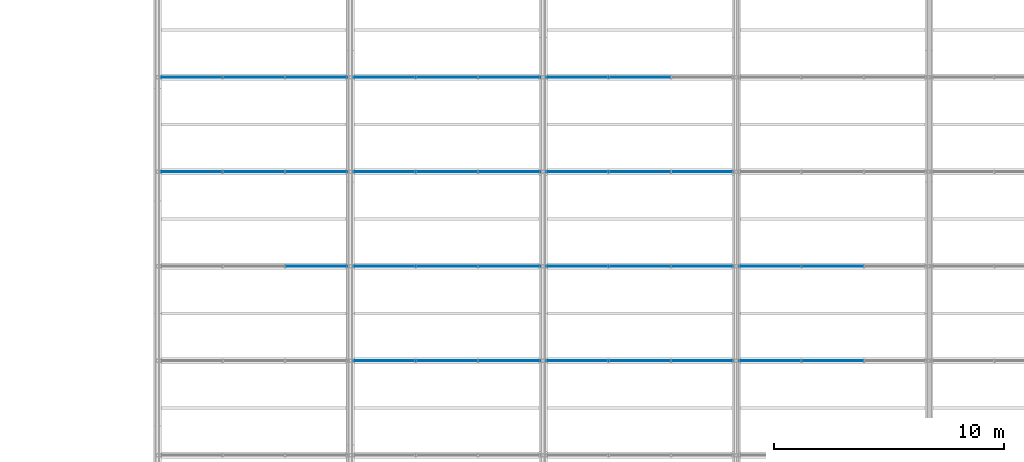
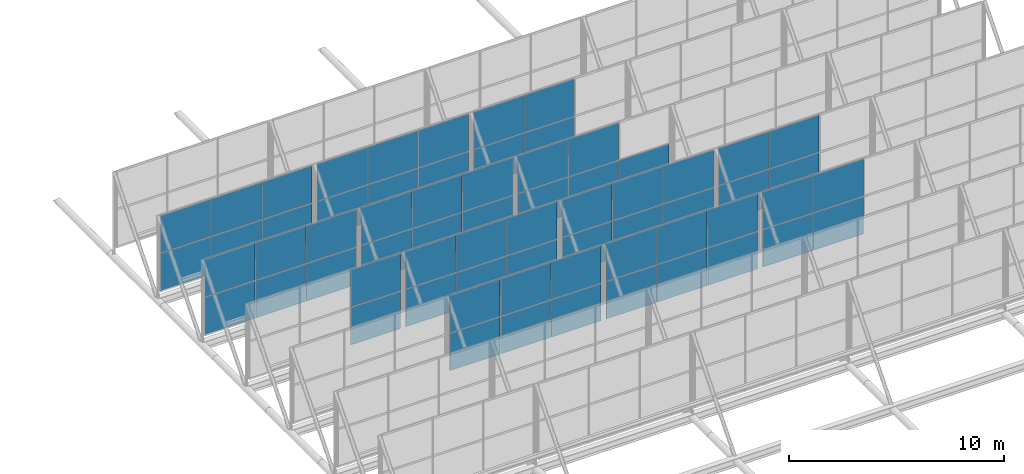
# One storey, part 65 of 77: 67 plates, 13 elements without a shape of their own.
"""IFC4 building model written with IfcOpenShell, lengths in metres."""

from ifc_helpers import new_model, si_unit, derived_unit, direction, frame, origin, origin_2d, place, context, subcontext, project, spatial, rectangle, extrude, material, layer, layer_set, type_object, element, aggregate, save


model = new_model("IFC4")

# Units and contexts
model_context = context("Model", 3, precision=1e-05, world=origin(), true_north=direction((0.0, 1.0)))
body_context = subcontext(model_context, "Body", "Model", "MODEL_VIEW")
ifc_project = project(units=[si_unit("LENGTHUNIT", "METRE"), si_unit("AREAUNIT", "SQUARE_METRE"), si_unit("VOLUMEUNIT", "CUBIC_METRE"), si_unit("PLANEANGLEUNIT", "RADIAN"), si_unit("MASSUNIT", "GRAM", prefix="KILO"), derived_unit("THERMALTRANSMITTANCEUNIT", [(si_unit("MASSUNIT", "GRAM", prefix="KILO"), 1), (si_unit("TIMEUNIT", "SECOND"), -3), (si_unit("THERMODYNAMICTEMPERATUREUNIT", "KELVIN"), -1)])], contexts=[model_context])

# Site, building, storey
site_placement = place(None, origin())
site = spatial("IfcSite", under=ifc_project, at=site_placement, CompositionType="ELEMENT")
building_placement = place(site_placement, origin())
building = spatial("IfcBuilding", under=site, at=building_placement, Name="Kharveza Railside Sports Centre", CompositionType="ELEMENT")
storey_placement = place(building_placement, frame((0.0, 0.0, 17.10009765625)))
storey = spatial("IfcBuildingStorey", under=building, at=storey_placement, Name="L04", CompositionType="ELEMENT", Elevation=17.10009765625)

# Curtain wall, plates
ifc_material = material(Name="Low-E solar-control laminated glass", Category="glass")
curtain_wall_type = type_object("IfcCurtainWallType", Name="CW-NL01", PredefinedType="NOTDEFINED", material=ifc_material)
curtain_wall_1_placement = place(storey_placement, origin())
curtain_wall_1 = element("IfcCurtainWall", 1, at=curtain_wall_1_placement, inside=storey, type_object=curtain_wall_type, Name="CW-V1NL-3-2", PredefinedType="NOTDEFINED")
ifc_layer = layer(ifc_material, 0.033935546875, Name="Low-E solar-control laminated glass")
ifc_layer_set = layer_set([ifc_layer], Name="Low-E solar-control laminated glass")
plate_type = type_object("IfcPlateType", Name="PL-CP05", PredefinedType="CURTAIN_PANEL", material=ifc_layer_set)
plate_1_placement = place(storey_placement, frame((43.47998046875, 48.343017578125, -0.5302734375), z_axis=(0.0, 0.0, 1.0), x_axis=(1.0, 0.0, 0.0)))
plate_1 = element("IfcPlate", 2, at=plate_1_placement, type_object=plate_type, Name="CW-V1NL-3-2-PN11", PredefinedType="CURTAIN_PANEL", context=body_context, shape_type="SweptSolid", body=[
    extrude(rectangle(XDim=2.679931640625, YDim=0.033935546875, at=origin_2d()), origin(), (0.0, 0.0, 1.0), 2.110107421875),
])
plate_2_placement = place(storey_placement, frame((43.47998046875, 48.343017578125, 1.61962890625), z_axis=(0.0, 0.0, 1.0), x_axis=(1.0, 0.0, 0.0)))
plate_2 = element("IfcPlate", 3, at=plate_2_placement, type_object=plate_type, Name="CW-V1NL-3-2-PN12", PredefinedType="CURTAIN_PANEL", context=body_context, shape_type="SweptSolid", body=[
    extrude(rectangle(XDim=2.679931640625, YDim=0.033935546875, at=origin_2d()), origin(), (0.0, 0.0, 1.0), 2.110107421875),
])
plate_3_placement = place(storey_placement, frame((46.199951171875, 48.343017578125, -0.5302734375), z_axis=(0.0, 0.0, 1.0), x_axis=(1.0, 0.0, 0.0)))
plate_3 = element("IfcPlate", 4, at=plate_3_placement, type_object=plate_type, Name="CW-V1NL-3-2-PN21", PredefinedType="CURTAIN_PANEL", context=body_context, shape_type="SweptSolid", body=[
    extrude(rectangle(XDim=2.679931640625, YDim=0.033935546875, at=origin_2d()), origin(), (0.0, 0.0, 1.0), 2.110107421875),
])
plate_4_placement = place(storey_placement, frame((46.199951171875, 48.343017578125, 1.61962890625), z_axis=(0.0, 0.0, 1.0), x_axis=(1.0, 0.0, 0.0)))
plate_4 = element("IfcPlate", 5, at=plate_4_placement, type_object=plate_type, Name="CW-V1NL-3-2-PN22", PredefinedType="CURTAIN_PANEL", context=body_context, shape_type="SweptSolid", body=[
    extrude(rectangle(XDim=2.679931640625, YDim=0.033935546875, at=origin_2d()), origin(), (0.0, 0.0, 1.0), 2.110107421875),
])
plate_5_placement = place(storey_placement, frame((48.919921875, 48.343017578125, -0.5302734375), z_axis=(0.0, 0.0, 1.0), x_axis=(1.0, 0.0, 0.0)))
plate_5 = element("IfcPlate", 6, at=plate_5_placement, type_object=plate_type, Name="CW-V1NL-3-2-PN31", PredefinedType="CURTAIN_PANEL", context=body_context, shape_type="SweptSolid", body=[
    extrude(rectangle(XDim=2.679931640625, YDim=0.033935546875, at=origin_2d()), origin(), (0.0, 0.0, 1.0), 2.110107421875),
])
plate_6_placement = place(storey_placement, frame((48.919921875, 48.343017578125, 1.61962890625), z_axis=(0.0, 0.0, 1.0), x_axis=(1.0, 0.0, 0.0)))
plate_6 = element("IfcPlate", 7, at=plate_6_placement, type_object=plate_type, Name="CW-V1NL-3-2-PN32", PredefinedType="CURTAIN_PANEL", context=body_context, shape_type="SweptSolid", body=[
    extrude(rectangle(XDim=2.679931640625, YDim=0.033935546875, at=origin_2d()), origin(), (0.0, 0.0, 1.0), 2.110107421875),
])
aggregate(curtain_wall_1, [plate_1, plate_2, plate_3, plate_4, plate_5, plate_6])

curtain_wall_2_placement = place(storey_placement, origin())
curtain_wall_2 = element("IfcCurtainWall", 8, at=curtain_wall_2_placement, inside=storey, type_object=curtain_wall_type, Name="CW-V1NL-3-3", PredefinedType="NOTDEFINED")
plate_7_placement = place(storey_placement, frame((51.8798828125, 48.343017578125, -0.5302734375), z_axis=(0.0, 0.0, 1.0), x_axis=(1.0, 0.0, 0.0)))
plate_7 = element("IfcPlate", 9, at=plate_7_placement, type_object=plate_type, Name="CW-V1NL-3-3-PN11", PredefinedType="CURTAIN_PANEL", context=body_context, shape_type="SweptSolid", body=[
    extrude(rectangle(XDim=2.679931640625, YDim=0.033935546875, at=origin_2d()), origin(), (0.0, 0.0, 1.0), 2.110107421875),
])
plate_8_placement = place(storey_placement, frame((51.8798828125, 48.343017578125, 1.61962890625), z_axis=(0.0, 0.0, 1.0), x_axis=(1.0, 0.0, 0.0)))
plate_8 = element("IfcPlate", 10, at=plate_8_placement, type_object=plate_type, Name="CW-V1NL-3-3-PN12", PredefinedType="CURTAIN_PANEL", context=body_context, shape_type="SweptSolid", body=[
    extrude(rectangle(XDim=2.679931640625, YDim=0.033935546875, at=origin_2d()), origin(), (0.0, 0.0, 1.0), 2.110107421875),
])
plate_9_placement = place(storey_placement, frame((54.60009765625, 48.343017578125, -0.5302734375), z_axis=(0.0, 0.0, 1.0), x_axis=(1.0, 0.0, 0.0)))
plate_9 = element("IfcPlate", 11, at=plate_9_placement, type_object=plate_type, Name="CW-V1NL-3-3-PN21", PredefinedType="CURTAIN_PANEL", context=body_context, shape_type="SweptSolid", body=[
    extrude(rectangle(XDim=2.679931640625, YDim=0.033935546875, at=origin_2d()), origin(), (0.0, 0.0, 1.0), 2.110107421875),
])
plate_10_placement = place(storey_placement, frame((54.60009765625, 48.343017578125, 1.61962890625), z_axis=(0.0, 0.0, 1.0), x_axis=(1.0, 0.0, 0.0)))
plate_10 = element("IfcPlate", 12, at=plate_10_placement, type_object=plate_type, Name="CW-V1NL-3-3-PN22", PredefinedType="CURTAIN_PANEL", context=body_context, shape_type="SweptSolid", body=[
    extrude(rectangle(XDim=2.679931640625, YDim=0.033935546875, at=origin_2d()), origin(), (0.0, 0.0, 1.0), 2.110107421875),
])
plate_11_placement = place(storey_placement, frame((57.320068359375, 48.343017578125, -0.5302734375), z_axis=(0.0, 0.0, 1.0), x_axis=(1.0, 0.0, 0.0)))
plate_11 = element("IfcPlate", 13, at=plate_11_placement, type_object=plate_type, Name="CW-V1NL-3-3-PN31", PredefinedType="CURTAIN_PANEL", context=body_context, shape_type="SweptSolid", body=[
    extrude(rectangle(XDim=2.679931640625, YDim=0.033935546875, at=origin_2d()), origin(), (0.0, 0.0, 1.0), 2.110107421875),
])
plate_12_placement = place(storey_placement, frame((57.320068359375, 48.343017578125, 1.61962890625), z_axis=(0.0, 0.0, 1.0), x_axis=(1.0, 0.0, 0.0)))
plate_12 = element("IfcPlate", 14, at=plate_12_placement, type_object=plate_type, Name="CW-V1NL-3-3-PN32", PredefinedType="CURTAIN_PANEL", context=body_context, shape_type="SweptSolid", body=[
    extrude(rectangle(XDim=2.679931640625, YDim=0.033935546875, at=origin_2d()), origin(), (0.0, 0.0, 1.0), 2.110107421875),
])
aggregate(curtain_wall_2, [plate_7, plate_8, plate_9, plate_10, plate_11, plate_12])

curtain_wall_3_placement = place(storey_placement, origin())
curtain_wall_3 = element("IfcCurtainWall", 15, at=curtain_wall_3_placement, inside=storey, type_object=curtain_wall_type, Name="CW-V1NL-3-4", PredefinedType="NOTDEFINED")
plate_13_placement = place(storey_placement, frame((60.280029296875, 48.343017578125, -0.5302734375), z_axis=(0.0, 0.0, 1.0), x_axis=(1.0, 0.0, 0.0)))
plate_13 = element("IfcPlate", 16, at=plate_13_placement, type_object=plate_type, Name="CW-V1NL-3-4-PN11", PredefinedType="CURTAIN_PANEL", context=body_context, shape_type="SweptSolid", body=[
    extrude(rectangle(XDim=2.679931640625, YDim=0.033935546875, at=origin_2d()), origin(), (0.0, 0.0, 1.0), 2.110107421875),
])
plate_14_placement = place(storey_placement, frame((60.280029296875, 48.343017578125, 1.61962890625), z_axis=(0.0, 0.0, 1.0), x_axis=(1.0, 0.0, 0.0)))
plate_14 = element("IfcPlate", 17, at=plate_14_placement, type_object=plate_type, Name="CW-V1NL-3-4-PN12", PredefinedType="CURTAIN_PANEL", context=body_context, shape_type="SweptSolid", body=[
    extrude(rectangle(XDim=2.679931640625, YDim=0.033935546875, at=origin_2d()), origin(), (0.0, 0.0, 1.0), 2.110107421875),
])
plate_15_placement = place(storey_placement, frame((63.0, 48.343017578125, -0.5302734375), z_axis=(0.0, 0.0, 1.0), x_axis=(1.0, 0.0, 0.0)))
plate_15 = element("IfcPlate", 18, at=plate_15_placement, type_object=plate_type, Name="CW-V1NL-3-4-PN21", PredefinedType="CURTAIN_PANEL", context=body_context, shape_type="SweptSolid", body=[
    extrude(rectangle(XDim=2.679931640625, YDim=0.033935546875, at=origin_2d()), origin(), (0.0, 0.0, 1.0), 2.110107421875),
])
plate_16_placement = place(storey_placement, frame((63.0, 48.343017578125, 1.61962890625), z_axis=(0.0, 0.0, 1.0), x_axis=(1.0, 0.0, 0.0)))
plate_16 = element("IfcPlate", 19, at=plate_16_placement, type_object=plate_type, Name="CW-V1NL-3-4-PN22", PredefinedType="CURTAIN_PANEL", context=body_context, shape_type="SweptSolid", body=[
    extrude(rectangle(XDim=2.679931640625, YDim=0.033935546875, at=origin_2d()), origin(), (0.0, 0.0, 1.0), 2.110107421875),
])
aggregate(curtain_wall_3, [plate_13, plate_14, plate_15, plate_16])

curtain_wall_4_placement = place(storey_placement, origin())
curtain_wall_4 = element("IfcCurtainWall", 20, at=curtain_wall_4_placement, inside=storey, type_object=curtain_wall_type, Name="CW-V1NL-4-1", PredefinedType="NOTDEFINED")
plate_17_placement = place(storey_placement, frame((40.52001953125, 52.45703125, -0.5302734375), z_axis=(0.0, 0.0, 1.0), x_axis=(1.0, 0.0, 0.0)))
plate_17 = element("IfcPlate", 21, at=plate_17_placement, type_object=plate_type, Name="CW-V1NL-4-1-PN31", PredefinedType="CURTAIN_PANEL", context=body_context, shape_type="SweptSolid", body=[
    extrude(rectangle(XDim=2.679931640625, YDim=0.033935546875, at=origin_2d()), origin(), (0.0, 0.0, 1.0), 2.110107421875),
])
plate_18_placement = place(storey_placement, frame((40.52001953125, 52.45703125, 1.61962890625), z_axis=(0.0, 0.0, 1.0), x_axis=(1.0, 0.0, 0.0)))
plate_18 = element("IfcPlate", 22, at=plate_18_placement, type_object=plate_type, Name="CW-V1NL-4-1-PN32", PredefinedType="CURTAIN_PANEL", context=body_context, shape_type="SweptSolid", body=[
    extrude(rectangle(XDim=2.679931640625, YDim=0.033935546875, at=origin_2d()), origin(), (0.0, 0.0, 1.0), 2.110107421875),
])
aggregate(curtain_wall_4, [plate_17, plate_18])

curtain_wall_5_placement = place(storey_placement, origin())
curtain_wall_5 = element("IfcCurtainWall", 23, at=curtain_wall_5_placement, inside=storey, type_object=curtain_wall_type, Name="CW-V1NL-4-2", PredefinedType="NOTDEFINED")
plate_19_placement = place(storey_placement, frame((43.47998046875, 52.45703125, -0.5302734375), z_axis=(0.0, 0.0, 1.0), x_axis=(1.0, 0.0, 0.0)))
plate_19 = element("IfcPlate", 24, at=plate_19_placement, type_object=plate_type, Name="CW-V1NL-4-2-PN11", PredefinedType="CURTAIN_PANEL", context=body_context, shape_type="SweptSolid", body=[
    extrude(rectangle(XDim=2.679931640625, YDim=0.033935546875, at=origin_2d()), origin(), (0.0, 0.0, 1.0), 2.110107421875),
])
plate_20_placement = place(storey_placement, frame((43.47998046875, 52.45703125, 1.61962890625), z_axis=(0.0, 0.0, 1.0), x_axis=(1.0, 0.0, 0.0)))
plate_20 = element("IfcPlate", 25, at=plate_20_placement, type_object=plate_type, Name="CW-V1NL-4-2-PN12", PredefinedType="CURTAIN_PANEL", context=body_context, shape_type="SweptSolid", body=[
    extrude(rectangle(XDim=2.679931640625, YDim=0.033935546875, at=origin_2d()), origin(), (0.0, 0.0, 1.0), 2.110107421875),
])
plate_21_placement = place(storey_placement, frame((46.199951171875, 52.45703125, -0.5302734375), z_axis=(0.0, 0.0, 1.0), x_axis=(1.0, 0.0, 0.0)))
plate_21 = element("IfcPlate", 26, at=plate_21_placement, type_object=plate_type, Name="CW-V1NL-4-2-PN21", PredefinedType="CURTAIN_PANEL", context=body_context, shape_type="SweptSolid", body=[
    extrude(rectangle(XDim=2.679931640625, YDim=0.033935546875, at=origin_2d()), origin(), (0.0, 0.0, 1.0), 2.110107421875),
])
plate_22_placement = place(storey_placement, frame((46.199951171875, 52.45703125, 1.61962890625), z_axis=(0.0, 0.0, 1.0), x_axis=(1.0, 0.0, 0.0)))
plate_22 = element("IfcPlate", 27, at=plate_22_placement, type_object=plate_type, Name="CW-V1NL-4-2-PN22", PredefinedType="CURTAIN_PANEL", context=body_context, shape_type="SweptSolid", body=[
    extrude(rectangle(XDim=2.679931640625, YDim=0.033935546875, at=origin_2d()), origin(), (0.0, 0.0, 1.0), 2.110107421875),
])
plate_23_placement = place(storey_placement, frame((48.919921875, 52.45703125, -0.5302734375), z_axis=(0.0, 0.0, 1.0), x_axis=(1.0, 0.0, 0.0)))
plate_23 = element("IfcPlate", 28, at=plate_23_placement, type_object=plate_type, Name="CW-V1NL-4-2-PN31", PredefinedType="CURTAIN_PANEL", context=body_context, shape_type="SweptSolid", body=[
    extrude(rectangle(XDim=2.679931640625, YDim=0.033935546875, at=origin_2d()), origin(), (0.0, 0.0, 1.0), 2.110107421875),
])
plate_24_placement = place(storey_placement, frame((48.919921875, 52.45703125, 1.61962890625), z_axis=(0.0, 0.0, 1.0), x_axis=(1.0, 0.0, 0.0)))
plate_24 = element("IfcPlate", 29, at=plate_24_placement, type_object=plate_type, Name="CW-V1NL-4-2-PN32", PredefinedType="CURTAIN_PANEL", context=body_context, shape_type="SweptSolid", body=[
    extrude(rectangle(XDim=2.679931640625, YDim=0.033935546875, at=origin_2d()), origin(), (0.0, 0.0, 1.0), 2.110107421875),
])
aggregate(curtain_wall_5, [plate_19, plate_20, plate_21, plate_22, plate_23, plate_24])

curtain_wall_6_placement = place(storey_placement, origin())
curtain_wall_6 = element("IfcCurtainWall", 30, at=curtain_wall_6_placement, inside=storey, type_object=curtain_wall_type, Name="CW-V1NL-4-3", PredefinedType="NOTDEFINED")
plate_25_placement = place(storey_placement, frame((51.8798828125, 52.45703125, -0.5302734375), z_axis=(0.0, 0.0, 1.0), x_axis=(1.0, 0.0, 0.0)))
plate_25 = element("IfcPlate", 31, at=plate_25_placement, type_object=plate_type, Name="CW-V1NL-4-3-PN11", PredefinedType="CURTAIN_PANEL", context=body_context, shape_type="SweptSolid", body=[
    extrude(rectangle(XDim=2.679931640625, YDim=0.033935546875, at=origin_2d()), origin(), (0.0, 0.0, 1.0), 2.110107421875),
])
plate_26_placement = place(storey_placement, frame((51.8798828125, 52.45703125, 1.61962890625), z_axis=(0.0, 0.0, 1.0), x_axis=(1.0, 0.0, 0.0)))
plate_26 = element("IfcPlate", 32, at=plate_26_placement, type_object=plate_type, Name="CW-V1NL-4-3-PN12", PredefinedType="CURTAIN_PANEL", context=body_context, shape_type="SweptSolid", body=[
    extrude(rectangle(XDim=2.679931640625, YDim=0.033935546875, at=origin_2d()), origin(), (0.0, 0.0, 1.0), 2.110107421875),
])
plate_27_placement = place(storey_placement, frame((54.60009765625, 52.45703125, -0.5302734375), z_axis=(0.0, 0.0, 1.0), x_axis=(1.0, 0.0, 0.0)))
plate_27 = element("IfcPlate", 33, at=plate_27_placement, type_object=plate_type, Name="CW-V1NL-4-3-PN21", PredefinedType="CURTAIN_PANEL", context=body_context, shape_type="SweptSolid", body=[
    extrude(rectangle(XDim=2.679931640625, YDim=0.033935546875, at=origin_2d()), origin(), (0.0, 0.0, 1.0), 2.110107421875),
])
plate_28_placement = place(storey_placement, frame((54.60009765625, 52.45703125, 1.61962890625), z_axis=(0.0, 0.0, 1.0), x_axis=(1.0, 0.0, 0.0)))
plate_28 = element("IfcPlate", 34, at=plate_28_placement, type_object=plate_type, Name="CW-V1NL-4-3-PN22", PredefinedType="CURTAIN_PANEL", context=body_context, shape_type="SweptSolid", body=[
    extrude(rectangle(XDim=2.679931640625, YDim=0.033935546875, at=origin_2d()), origin(), (0.0, 0.0, 1.0), 2.110107421875),
])
plate_29_placement = place(storey_placement, frame((57.320068359375, 52.45703125, -0.5302734375), z_axis=(0.0, 0.0, 1.0), x_axis=(1.0, 0.0, 0.0)))
plate_29 = element("IfcPlate", 35, at=plate_29_placement, type_object=plate_type, Name="CW-V1NL-4-3-PN31", PredefinedType="CURTAIN_PANEL", context=body_context, shape_type="SweptSolid", body=[
    extrude(rectangle(XDim=2.679931640625, YDim=0.033935546875, at=origin_2d()), origin(), (0.0, 0.0, 1.0), 2.110107421875),
])
plate_30_placement = place(storey_placement, frame((57.320068359375, 52.45703125, 1.61962890625), z_axis=(0.0, 0.0, 1.0), x_axis=(1.0, 0.0, 0.0)))
plate_30 = element("IfcPlate", 36, at=plate_30_placement, type_object=plate_type, Name="CW-V1NL-4-3-PN32", PredefinedType="CURTAIN_PANEL", context=body_context, shape_type="SweptSolid", body=[
    extrude(rectangle(XDim=2.679931640625, YDim=0.033935546875, at=origin_2d()), origin(), (0.0, 0.0, 1.0), 2.110107421875),
])
aggregate(curtain_wall_6, [plate_25, plate_26, plate_27, plate_28, plate_29, plate_30])

curtain_wall_7_placement = place(storey_placement, origin())
curtain_wall_7 = element("IfcCurtainWall", 37, at=curtain_wall_7_placement, inside=storey, type_object=curtain_wall_type, Name="CW-V1NL-4-4", PredefinedType="NOTDEFINED")
plate_31_placement = place(storey_placement, frame((60.280029296875, 52.45703125, -0.5302734375), z_axis=(0.0, 0.0, 1.0), x_axis=(1.0, 0.0, 0.0)))
plate_31 = element("IfcPlate", 38, at=plate_31_placement, type_object=plate_type, Name="CW-V1NL-4-4-PN11", PredefinedType="CURTAIN_PANEL", context=body_context, shape_type="SweptSolid", body=[
    extrude(rectangle(XDim=2.679931640625, YDim=0.033935546875, at=origin_2d()), origin(), (0.0, 0.0, 1.0), 2.110107421875),
])
plate_32_placement = place(storey_placement, frame((60.280029296875, 52.45703125, 1.61962890625), z_axis=(0.0, 0.0, 1.0), x_axis=(1.0, 0.0, 0.0)))
plate_32 = element("IfcPlate", 39, at=plate_32_placement, type_object=plate_type, Name="CW-V1NL-4-4-PN12", PredefinedType="CURTAIN_PANEL", context=body_context, shape_type="SweptSolid", body=[
    extrude(rectangle(XDim=2.679931640625, YDim=0.033935546875, at=origin_2d()), origin(), (0.0, 0.0, 1.0), 2.110107421875),
])
plate_33_placement = place(storey_placement, frame((63.0, 52.45703125, -0.5302734375), z_axis=(0.0, 0.0, 1.0), x_axis=(1.0, 0.0, 0.0)))
plate_33 = element("IfcPlate", 40, at=plate_33_placement, type_object=plate_type, Name="CW-V1NL-4-4-PN21", PredefinedType="CURTAIN_PANEL", context=body_context, shape_type="SweptSolid", body=[
    extrude(rectangle(XDim=2.679931640625, YDim=0.033935546875, at=origin_2d()), origin(), (0.0, 0.0, 1.0), 2.110107421875),
])
plate_34_placement = place(storey_placement, frame((63.0, 52.45703125, 1.61962890625), z_axis=(0.0, 0.0, 1.0), x_axis=(1.0, 0.0, 0.0)))
plate_34 = element("IfcPlate", 41, at=plate_34_placement, type_object=plate_type, Name="CW-V1NL-4-4-PN22", PredefinedType="CURTAIN_PANEL", context=body_context, shape_type="SweptSolid", body=[
    extrude(rectangle(XDim=2.679931640625, YDim=0.033935546875, at=origin_2d()), origin(), (0.0, 0.0, 1.0), 2.110107421875),
])
aggregate(curtain_wall_7, [plate_31, plate_32, plate_33, plate_34])

curtain_wall_8_placement = place(storey_placement, origin())
curtain_wall_8 = element("IfcCurtainWall", 42, at=curtain_wall_8_placement, inside=storey, type_object=curtain_wall_type, Name="CW-V1NL-5-1", PredefinedType="NOTDEFINED")
plate_35_placement = place(storey_placement, frame((35.080078125, 56.5712890625, -0.5302734375), z_axis=(0.0, 0.0, 1.0), x_axis=(1.0, 0.0, 0.0)))
plate_35 = element("IfcPlate", 43, at=plate_35_placement, type_object=plate_type, Name="CW-V1NL-5-1-PN11", PredefinedType="CURTAIN_PANEL", context=body_context, shape_type="SweptSolid", body=[
    extrude(rectangle(XDim=2.679931640625, YDim=0.033935546875, at=origin_2d()), origin(), (0.0, 0.0, 1.0), 2.110107421875),
])
plate_36_placement = place(storey_placement, frame((35.080078125, 56.5712890625, 1.61962890625), z_axis=(0.0, 0.0, 1.0), x_axis=(1.0, 0.0, 0.0)))
plate_36 = element("IfcPlate", 44, at=plate_36_placement, type_object=plate_type, Name="CW-V1NL-5-1-PN12", PredefinedType="CURTAIN_PANEL", context=body_context, shape_type="SweptSolid", body=[
    extrude(rectangle(XDim=2.679931640625, YDim=0.033935546875, at=origin_2d()), origin(), (0.0, 0.0, 1.0), 2.110107421875),
])
plate_37_placement = place(storey_placement, frame((37.800048828125, 56.5712890625, -0.5302734375), z_axis=(0.0, 0.0, 1.0), x_axis=(1.0, 0.0, 0.0)))
plate_37 = element("IfcPlate", 45, at=plate_37_placement, type_object=plate_type, Name="CW-V1NL-5-1-PN21", PredefinedType="CURTAIN_PANEL", context=body_context, shape_type="SweptSolid", body=[
    extrude(rectangle(XDim=2.679931640625, YDim=0.033935546875, at=origin_2d()), origin(), (0.0, 0.0, 1.0), 2.110107421875),
])
plate_38_placement = place(storey_placement, frame((37.800048828125, 56.5712890625, 1.61962890625), z_axis=(0.0, 0.0, 1.0), x_axis=(1.0, 0.0, 0.0)))
plate_38 = element("IfcPlate", 46, at=plate_38_placement, type_object=plate_type, Name="CW-V1NL-5-1-PN22", PredefinedType="CURTAIN_PANEL", context=body_context, shape_type="SweptSolid", body=[
    extrude(rectangle(XDim=2.679931640625, YDim=0.033935546875, at=origin_2d()), origin(), (0.0, 0.0, 1.0), 2.110107421875),
])
plate_39_placement = place(storey_placement, frame((40.52001953125, 56.5712890625, -0.5302734375), z_axis=(0.0, 0.0, 1.0), x_axis=(1.0, 0.0, 0.0)))
plate_39 = element("IfcPlate", 47, at=plate_39_placement, type_object=plate_type, Name="CW-V1NL-5-1-PN31", PredefinedType="CURTAIN_PANEL", context=body_context, shape_type="SweptSolid", body=[
    extrude(rectangle(XDim=2.679931640625, YDim=0.033935546875, at=origin_2d()), origin(), (0.0, 0.0, 1.0), 2.110107421875),
])
plate_40_placement = place(storey_placement, frame((40.52001953125, 56.5712890625, 1.61962890625), z_axis=(0.0, 0.0, 1.0), x_axis=(1.0, 0.0, 0.0)))
plate_40 = element("IfcPlate", 48, at=plate_40_placement, type_object=plate_type, Name="CW-V1NL-5-1-PN32", PredefinedType="CURTAIN_PANEL", context=body_context, shape_type="SweptSolid", body=[
    extrude(rectangle(XDim=2.679931640625, YDim=0.033935546875, at=origin_2d()), origin(), (0.0, 0.0, 1.0), 2.110107421875),
])
aggregate(curtain_wall_8, [plate_35, plate_36, plate_37, plate_38, plate_39, plate_40])

curtain_wall_9_placement = place(storey_placement, origin())
curtain_wall_9 = element("IfcCurtainWall", 49, at=curtain_wall_9_placement, inside=storey, type_object=curtain_wall_type, Name="CW-V1NL-5-2", PredefinedType="NOTDEFINED")
plate_41_placement = place(storey_placement, frame((43.47998046875, 56.5712890625, -0.5302734375), z_axis=(0.0, 0.0, 1.0), x_axis=(1.0, 0.0, 0.0)))
plate_41 = element("IfcPlate", 50, at=plate_41_placement, type_object=plate_type, Name="CW-V1NL-5-2-PN11", PredefinedType="CURTAIN_PANEL", context=body_context, shape_type="SweptSolid", body=[
    extrude(rectangle(XDim=2.679931640625, YDim=0.033935546875, at=origin_2d()), origin(), (0.0, 0.0, 1.0), 2.110107421875),
])
plate_42_placement = place(storey_placement, frame((43.47998046875, 56.5712890625, 1.61962890625), z_axis=(0.0, 0.0, 1.0), x_axis=(1.0, 0.0, 0.0)))
plate_42 = element("IfcPlate", 51, at=plate_42_placement, type_object=plate_type, Name="CW-V1NL-5-2-PN12", PredefinedType="CURTAIN_PANEL", context=body_context, shape_type="SweptSolid", body=[
    extrude(rectangle(XDim=2.679931640625, YDim=0.033935546875, at=origin_2d()), origin(), (0.0, 0.0, 1.0), 2.110107421875),
])
plate_43_placement = place(storey_placement, frame((46.199951171875, 56.5712890625, -0.5302734375), z_axis=(0.0, 0.0, 1.0), x_axis=(1.0, 0.0, 0.0)))
plate_43 = element("IfcPlate", 52, at=plate_43_placement, type_object=plate_type, Name="CW-V1NL-5-2-PN21", PredefinedType="CURTAIN_PANEL", context=body_context, shape_type="SweptSolid", body=[
    extrude(rectangle(XDim=2.679931640625, YDim=0.033935546875, at=origin_2d()), origin(), (0.0, 0.0, 1.0), 2.110107421875),
])
plate_44_placement = place(storey_placement, frame((46.199951171875, 56.5712890625, 1.61962890625), z_axis=(0.0, 0.0, 1.0), x_axis=(1.0, 0.0, 0.0)))
plate_44 = element("IfcPlate", 53, at=plate_44_placement, type_object=plate_type, Name="CW-V1NL-5-2-PN22", PredefinedType="CURTAIN_PANEL", context=body_context, shape_type="SweptSolid", body=[
    extrude(rectangle(XDim=2.679931640625, YDim=0.033935546875, at=origin_2d()), origin(), (0.0, 0.0, 1.0), 2.110107421875),
])
plate_45_placement = place(storey_placement, frame((48.919921875, 56.5712890625, -0.5302734375), z_axis=(0.0, 0.0, 1.0), x_axis=(1.0, 0.0, 0.0)))
plate_45 = element("IfcPlate", 54, at=plate_45_placement, type_object=plate_type, Name="CW-V1NL-5-2-PN31", PredefinedType="CURTAIN_PANEL", context=body_context, shape_type="SweptSolid", body=[
    extrude(rectangle(XDim=2.679931640625, YDim=0.033935546875, at=origin_2d()), origin(), (0.0, 0.0, 1.0), 2.110107421875),
])
plate_46_placement = place(storey_placement, frame((48.919921875, 56.5712890625, 1.61962890625), z_axis=(0.0, 0.0, 1.0), x_axis=(1.0, 0.0, 0.0)))
plate_46 = element("IfcPlate", 55, at=plate_46_placement, type_object=plate_type, Name="CW-V1NL-5-2-PN32", PredefinedType="CURTAIN_PANEL", context=body_context, shape_type="SweptSolid", body=[
    extrude(rectangle(XDim=2.679931640625, YDim=0.033935546875, at=origin_2d()), origin(), (0.0, 0.0, 1.0), 2.110107421875),
])
aggregate(curtain_wall_9, [plate_41, plate_42, plate_43, plate_44, plate_45, plate_46])

curtain_wall_10_placement = place(storey_placement, origin())
curtain_wall_10 = element("IfcCurtainWall", 56, at=curtain_wall_10_placement, inside=storey, type_object=curtain_wall_type, Name="CW-V1NL-5-3", PredefinedType="NOTDEFINED")
plate_47_placement = place(storey_placement, frame((51.8798828125, 56.5712890625, -0.5302734375), z_axis=(0.0, 0.0, 1.0), x_axis=(1.0, 0.0, 0.0)))
plate_47 = element("IfcPlate", 57, at=plate_47_placement, type_object=plate_type, Name="CW-V1NL-5-3-PN11", PredefinedType="CURTAIN_PANEL", context=body_context, shape_type="SweptSolid", body=[
    extrude(rectangle(XDim=2.679931640625, YDim=0.033935546875, at=origin_2d()), origin(), (0.0, 0.0, 1.0), 2.110107421875),
])
plate_48_placement = place(storey_placement, frame((51.8798828125, 56.5712890625, 1.61962890625), z_axis=(0.0, 0.0, 1.0), x_axis=(1.0, 0.0, 0.0)))
plate_48 = element("IfcPlate", 58, at=plate_48_placement, type_object=plate_type, Name="CW-V1NL-5-3-PN12", PredefinedType="CURTAIN_PANEL", context=body_context, shape_type="SweptSolid", body=[
    extrude(rectangle(XDim=2.679931640625, YDim=0.033935546875, at=origin_2d()), origin(), (0.0, 0.0, 1.0), 2.110107421875),
])
plate_49_placement = place(storey_placement, frame((54.60009765625, 56.5712890625, -0.5302734375), z_axis=(0.0, 0.0, 1.0), x_axis=(1.0, 0.0, 0.0)))
plate_49 = element("IfcPlate", 59, at=plate_49_placement, type_object=plate_type, Name="CW-V1NL-5-3-PN21", PredefinedType="CURTAIN_PANEL", context=body_context, shape_type="SweptSolid", body=[
    extrude(rectangle(XDim=2.679931640625, YDim=0.033935546875, at=origin_2d()), origin(), (0.0, 0.0, 1.0), 2.110107421875),
])
plate_50_placement = place(storey_placement, frame((54.60009765625, 56.5712890625, 1.61962890625), z_axis=(0.0, 0.0, 1.0), x_axis=(1.0, 0.0, 0.0)))
plate_50 = element("IfcPlate", 60, at=plate_50_placement, type_object=plate_type, Name="CW-V1NL-5-3-PN22", PredefinedType="CURTAIN_PANEL", context=body_context, shape_type="SweptSolid", body=[
    extrude(rectangle(XDim=2.679931640625, YDim=0.033935546875, at=origin_2d()), origin(), (0.0, 0.0, 1.0), 2.110107421875),
])
plate_51_placement = place(storey_placement, frame((57.320068359375, 56.5712890625, -0.5302734375), z_axis=(0.0, 0.0, 1.0), x_axis=(1.0, 0.0, 0.0)))
plate_51 = element("IfcPlate", 61, at=plate_51_placement, type_object=plate_type, Name="CW-V1NL-5-3-PN31", PredefinedType="CURTAIN_PANEL", context=body_context, shape_type="SweptSolid", body=[
    extrude(rectangle(XDim=2.679931640625, YDim=0.033935546875, at=origin_2d()), origin(), (0.0, 0.0, 1.0), 2.110107421875),
])
aggregate(curtain_wall_10, [plate_47, plate_48, plate_49, plate_50, plate_51])

curtain_wall_11_placement = place(storey_placement, origin())
curtain_wall_11 = element("IfcCurtainWall", 62, at=curtain_wall_11_placement, inside=storey, type_object=curtain_wall_type, Name="CW-V1NL-6-1", PredefinedType="NOTDEFINED")
plate_52_placement = place(storey_placement, frame((35.080078125, 60.685791015625, -0.5302734375), z_axis=(0.0, 0.0, 1.0), x_axis=(1.0, 0.0, 0.0)))
plate_52 = element("IfcPlate", 63, at=plate_52_placement, type_object=plate_type, Name="CW-V1NL-6-1-PN11", PredefinedType="CURTAIN_PANEL", context=body_context, shape_type="SweptSolid", body=[
    extrude(rectangle(XDim=2.679931640625, YDim=0.033935546875, at=origin_2d()), origin(), (0.0, 0.0, 1.0), 2.110107421875),
])
plate_53_placement = place(storey_placement, frame((35.080078125, 60.685791015625, 1.61962890625), z_axis=(0.0, 0.0, 1.0), x_axis=(1.0, 0.0, 0.0)))
plate_53 = element("IfcPlate", 64, at=plate_53_placement, type_object=plate_type, Name="CW-V1NL-6-1-PN12", PredefinedType="CURTAIN_PANEL", context=body_context, shape_type="SweptSolid", body=[
    extrude(rectangle(XDim=2.679931640625, YDim=0.033935546875, at=origin_2d()), origin(), (0.0, 0.0, 1.0), 2.110107421875),
])
plate_54_placement = place(storey_placement, frame((37.800048828125, 60.685791015625, -0.5302734375), z_axis=(0.0, 0.0, 1.0), x_axis=(1.0, 0.0, 0.0)))
plate_54 = element("IfcPlate", 65, at=plate_54_placement, type_object=plate_type, Name="CW-V1NL-6-1-PN21", PredefinedType="CURTAIN_PANEL", context=body_context, shape_type="SweptSolid", body=[
    extrude(rectangle(XDim=2.679931640625, YDim=0.033935546875, at=origin_2d()), origin(), (0.0, 0.0, 1.0), 2.110107421875),
])
plate_55_placement = place(storey_placement, frame((37.800048828125, 60.685791015625, 1.61962890625), z_axis=(0.0, 0.0, 1.0), x_axis=(1.0, 0.0, 0.0)))
plate_55 = element("IfcPlate", 66, at=plate_55_placement, type_object=plate_type, Name="CW-V1NL-6-1-PN22", PredefinedType="CURTAIN_PANEL", context=body_context, shape_type="SweptSolid", body=[
    extrude(rectangle(XDim=2.679931640625, YDim=0.033935546875, at=origin_2d()), origin(), (0.0, 0.0, 1.0), 2.110107421875),
])
plate_56_placement = place(storey_placement, frame((40.52001953125, 60.685791015625, -0.5302734375), z_axis=(0.0, 0.0, 1.0), x_axis=(1.0, 0.0, 0.0)))
plate_56 = element("IfcPlate", 67, at=plate_56_placement, type_object=plate_type, Name="CW-V1NL-6-1-PN31", PredefinedType="CURTAIN_PANEL", context=body_context, shape_type="SweptSolid", body=[
    extrude(rectangle(XDim=2.679931640625, YDim=0.033935546875, at=origin_2d()), origin(), (0.0, 0.0, 1.0), 2.110107421875),
])
plate_57_placement = place(storey_placement, frame((40.52001953125, 60.685791015625, 1.61962890625), z_axis=(0.0, 0.0, 1.0), x_axis=(1.0, 0.0, 0.0)))
plate_57 = element("IfcPlate", 68, at=plate_57_placement, type_object=plate_type, Name="CW-V1NL-6-1-PN32", PredefinedType="CURTAIN_PANEL", context=body_context, shape_type="SweptSolid", body=[
    extrude(rectangle(XDim=2.679931640625, YDim=0.033935546875, at=origin_2d()), origin(), (0.0, 0.0, 1.0), 2.110107421875),
])
aggregate(curtain_wall_11, [plate_52, plate_53, plate_54, plate_55, plate_56, plate_57])

curtain_wall_12_placement = place(storey_placement, origin())
curtain_wall_12 = element("IfcCurtainWall", 69, at=curtain_wall_12_placement, inside=storey, type_object=curtain_wall_type, Name="CW-V1NL-6-2", PredefinedType="NOTDEFINED")
plate_58_placement = place(storey_placement, frame((43.47998046875, 60.685791015625, -0.5302734375), z_axis=(0.0, 0.0, 1.0), x_axis=(1.0, 0.0, 0.0)))
plate_58 = element("IfcPlate", 70, at=plate_58_placement, type_object=plate_type, Name="CW-V1NL-6-2-PN11", PredefinedType="CURTAIN_PANEL", context=body_context, shape_type="SweptSolid", body=[
    extrude(rectangle(XDim=2.679931640625, YDim=0.033935546875, at=origin_2d()), origin(), (0.0, 0.0, 1.0), 2.110107421875),
])
plate_59_placement = place(storey_placement, frame((43.47998046875, 60.685791015625, 1.61962890625), z_axis=(0.0, 0.0, 1.0), x_axis=(1.0, 0.0, 0.0)))
plate_59 = element("IfcPlate", 71, at=plate_59_placement, type_object=plate_type, Name="CW-V1NL-6-2-PN12", PredefinedType="CURTAIN_PANEL", context=body_context, shape_type="SweptSolid", body=[
    extrude(rectangle(XDim=2.679931640625, YDim=0.033935546875, at=origin_2d()), origin(), (0.0, 0.0, 1.0), 2.110107421875),
])
plate_60_placement = place(storey_placement, frame((46.199951171875, 60.685791015625, -0.5302734375), z_axis=(0.0, 0.0, 1.0), x_axis=(1.0, 0.0, 0.0)))
plate_60 = element("IfcPlate", 72, at=plate_60_placement, type_object=plate_type, Name="CW-V1NL-6-2-PN21", PredefinedType="CURTAIN_PANEL", context=body_context, shape_type="SweptSolid", body=[
    extrude(rectangle(XDim=2.679931640625, YDim=0.033935546875, at=origin_2d()), origin(), (0.0, 0.0, 1.0), 2.110107421875),
])
plate_61_placement = place(storey_placement, frame((46.199951171875, 60.685791015625, 1.61962890625), z_axis=(0.0, 0.0, 1.0), x_axis=(1.0, 0.0, 0.0)))
plate_61 = element("IfcPlate", 73, at=plate_61_placement, type_object=plate_type, Name="CW-V1NL-6-2-PN22", PredefinedType="CURTAIN_PANEL", context=body_context, shape_type="SweptSolid", body=[
    extrude(rectangle(XDim=2.679931640625, YDim=0.033935546875, at=origin_2d()), origin(), (0.0, 0.0, 1.0), 2.110107421875),
])
plate_62_placement = place(storey_placement, frame((48.919921875, 60.685791015625, -0.5302734375), z_axis=(0.0, 0.0, 1.0), x_axis=(1.0, 0.0, 0.0)))
plate_62 = element("IfcPlate", 74, at=plate_62_placement, type_object=plate_type, Name="CW-V1NL-6-2-PN31", PredefinedType="CURTAIN_PANEL", context=body_context, shape_type="SweptSolid", body=[
    extrude(rectangle(XDim=2.679931640625, YDim=0.033935546875, at=origin_2d()), origin(), (0.0, 0.0, 1.0), 2.110107421875),
])
plate_63_placement = place(storey_placement, frame((48.919921875, 60.685791015625, 1.61962890625), z_axis=(0.0, 0.0, 1.0), x_axis=(1.0, 0.0, 0.0)))
plate_63 = element("IfcPlate", 75, at=plate_63_placement, type_object=plate_type, Name="CW-V1NL-6-2-PN32", PredefinedType="CURTAIN_PANEL", context=body_context, shape_type="SweptSolid", body=[
    extrude(rectangle(XDim=2.679931640625, YDim=0.033935546875, at=origin_2d()), origin(), (0.0, 0.0, 1.0), 2.110107421875),
])
aggregate(curtain_wall_12, [plate_58, plate_59, plate_60, plate_61, plate_62, plate_63])

curtain_wall_13_placement = place(storey_placement, origin())
curtain_wall_13 = element("IfcCurtainWall", 76, at=curtain_wall_13_placement, inside=storey, type_object=curtain_wall_type, Name="CW-V1NL-6-3", PredefinedType="NOTDEFINED")
plate_64_placement = place(storey_placement, frame((51.8798828125, 60.685791015625, -0.5302734375), z_axis=(0.0, 0.0, 1.0), x_axis=(1.0, 0.0, 0.0)))
plate_64 = element("IfcPlate", 77, at=plate_64_placement, type_object=plate_type, Name="CW-V1NL-6-3-PN11", PredefinedType="CURTAIN_PANEL", context=body_context, shape_type="SweptSolid", body=[
    extrude(rectangle(XDim=2.679931640625, YDim=0.033935546875, at=origin_2d()), origin(), (0.0, 0.0, 1.0), 2.110107421875),
])
plate_65_placement = place(storey_placement, frame((51.8798828125, 60.685791015625, 1.61962890625), z_axis=(0.0, 0.0, 1.0), x_axis=(1.0, 0.0, 0.0)))
plate_65 = element("IfcPlate", 78, at=plate_65_placement, type_object=plate_type, Name="CW-V1NL-6-3-PN12", PredefinedType="CURTAIN_PANEL", context=body_context, shape_type="SweptSolid", body=[
    extrude(rectangle(XDim=2.679931640625, YDim=0.033935546875, at=origin_2d()), origin(), (0.0, 0.0, 1.0), 2.110107421875),
])
plate_66_placement = place(storey_placement, frame((54.60009765625, 60.685791015625, -0.5302734375), z_axis=(0.0, 0.0, 1.0), x_axis=(1.0, 0.0, 0.0)))
plate_66 = element("IfcPlate", 79, at=plate_66_placement, type_object=plate_type, Name="CW-V1NL-6-3-PN21", PredefinedType="CURTAIN_PANEL", context=body_context, shape_type="SweptSolid", body=[
    extrude(rectangle(XDim=2.679931640625, YDim=0.033935546875, at=origin_2d()), origin(), (0.0, 0.0, 1.0), 2.110107421875),
])
plate_67_placement = place(storey_placement, frame((54.60009765625, 60.685791015625, 1.61962890625), z_axis=(0.0, 0.0, 1.0), x_axis=(1.0, 0.0, 0.0)))
plate_67 = element("IfcPlate", 80, at=plate_67_placement, type_object=plate_type, Name="CW-V1NL-6-3-PN22", PredefinedType="CURTAIN_PANEL", context=body_context, shape_type="SweptSolid", body=[
    extrude(rectangle(XDim=2.679931640625, YDim=0.033935546875, at=origin_2d()), origin(), (0.0, 0.0, 1.0), 2.110107421875),
])
aggregate(curtain_wall_13, [plate_64, plate_65, plate_66, plate_67])

save(model, "model.ifc")
